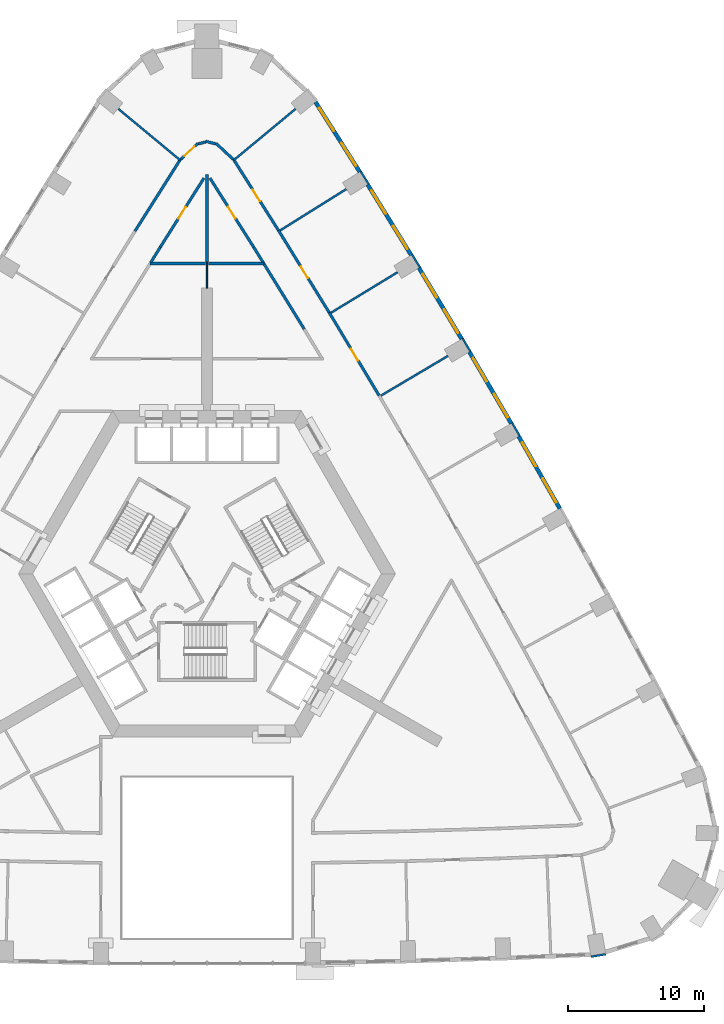
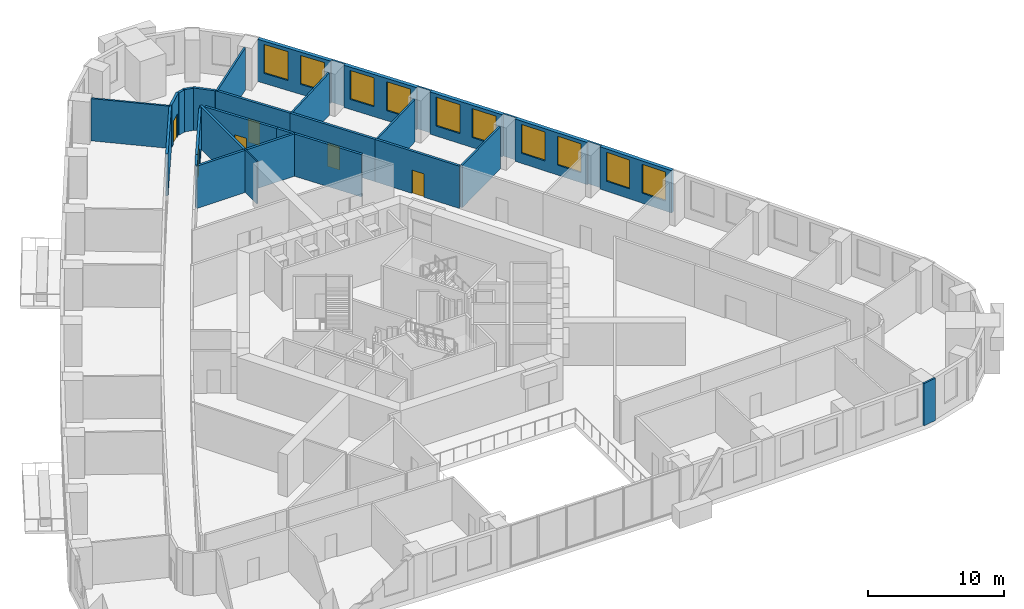
# One storey, part 10 of 16: 32 walls, 10 windows, 6 doors, 16 openings.
"""IFC4 building model written with IfcOpenShell, lengths in metres."""

from ifc_helpers import new_model, si_unit, direction, frame, frame_2d, origin, place, context, subcontext, project, spatial, rectangle, extrude, material, layer, layer_set, type_object, element, fill, save


model = new_model("IFC4")

# Units and contexts
model_context = context("Model", 3, precision=1e-05, world=origin(), true_north=direction((0.0, 1.0)))
body_context = subcontext(model_context, "Body", "Model", "MODEL_VIEW")
ifc_project = project(units=[si_unit("LENGTHUNIT", "METRE"), si_unit("AREAUNIT", "SQUARE_METRE"), si_unit("VOLUMEUNIT", "CUBIC_METRE"), si_unit("PLANEANGLEUNIT", "RADIAN"), si_unit("MASSUNIT", "GRAM", prefix="KILO")], contexts=[model_context])

# Site, building, storey
site_placement = place(None, origin())
site = spatial("IfcSite", under=ifc_project, at=site_placement, CompositionType="ELEMENT")
building_placement = place(site_placement, origin())
building = spatial("IfcBuilding", under=site, at=building_placement, Name="Entoto Arch Interchange Tower", CompositionType="ELEMENT")
storey_placement = place(building_placement, frame((0.0, 0.0, 95.0)))
storey = spatial("IfcBuildingStorey", under=building, at=storey_placement, Name="L20", CompositionType="ELEMENT", Elevation=95.0)

# Walls
ifc_material_1 = material(Name="Gypsum board partition on steel studs", Category="steel")
ifc_layer_1 = layer(ifc_material_1, 0.10009765625)
ifc_layer_set_1 = layer_set([ifc_layer_1], Name="Gypsum board partition on steel studs")
wall_type_1 = type_object("IfcWallType", Name="PARTITION 100", PredefinedType="PARTITIONING", material=ifc_layer_set_1)
wall_1_placement = place(storey_placement, frame((0.0, 23.5, 0.0), z_axis=(0.0, 0.0, 1.0), x_axis=(0.0, 1.0, 0.0)))
element("IfcWall", 1, at=wall_1_placement, inside=storey, type_object=wall_type_1, Name="wall:L20:p103", PredefinedType="PARTITIONING", context=body_context, shape_type="SweptSolid", body=[
    extrude(rectangle(XDim=1.89990234375, YDim=0.10009765625, at=frame_2d((0.949951171875, 0.0))), origin(), (0.0, 0.0, 1.0), 3.800048828125),
])
ifc_layer_2 = layer(ifc_material_1, 0.14990234375)
ifc_layer_set_2 = layer_set([ifc_layer_2], Name="Gypsum board partition on steel studs")
wall_type_2 = type_object("IfcWallType", Name="PARTITION 150", PredefinedType="PARTITIONING", material=ifc_layer_set_2)
wall_2_placement = place(storey_placement, frame((12.77587890625, 15.589111328125, 0.0), z_axis=(0.0, 0.0, 1.0), x_axis=(0.860225086153, 0.509914503768, 0.0)))
element("IfcWall", 2, at=wall_2_placement, inside=storey, type_object=wall_type_2, Name="wall:L20:p119", PredefinedType="PARTITIONING", context=body_context, shape_type="SweptSolid", body=[
    extrude(rectangle(XDim=5.730224609375, YDim=0.14990234375, at=frame_2d((2.865234375, 0.0))), origin(), (0.0, 0.0, 1.0), 3.800048828125),
])
wall_3_placement = place(storey_placement, frame((9.113037109375, 21.68408203125, 0.0), z_axis=(0.0, 0.0, 1.0), x_axis=(0.854075097122, 0.520149717367, 0.0)))
element("IfcWall", 3, at=wall_3_placement, inside=storey, type_object=wall_type_2, Name="wall:L20:p120", PredefinedType="PARTITIONING", context=body_context, shape_type="SweptSolid", body=[
    extrude(rectangle(XDim=5.72900390625, YDim=0.14990234375, at=frame_2d((2.864501953125, 0.0))), origin(), (0.0, 0.0, 1.0), 3.800048828125),
])
wall_4_placement = place(storey_placement, frame((5.3779296875, 27.737060546875, 0.0), z_axis=(0.0, 0.0, 1.0), x_axis=(0.848005484868, 0.529987450449, 0.0)))
element("IfcWall", 4, at=wall_4_placement, inside=storey, type_object=wall_type_2, Name="wall:L20:p121", PredefinedType="PARTITIONING", context=body_context, shape_type="SweptSolid", body=[
    extrude(rectangle(XDim=5.72998046875, YDim=0.14990234375, at=frame_2d((2.864990234375, 0.0))), origin(), (0.0, 0.0, 1.0), 3.800048828125),
])
for number, where, z_axis, x_axis, name in (
    (5, (1.98193359375, 32.9130859375, 0.0), (0.0, 0.0, 1.0), (0.769679976891, 0.638429896835, 0.0), "wall:L20:p122"),
    (6, (-1.98193359375, 32.9130859375, 0.0), (0.0, 0.0, 1.0), (-0.769679976891, 0.638429896835, 0.0), "wall:L20:p123"),
):
    element("IfcWall", number, at=place(storey_placement, frame(where, z_axis=z_axis, x_axis=x_axis)), inside=storey, type_object=wall_type_2, Name=name, PredefinedType="PARTITIONING", context=body_context, shape_type="SweptSolid", body=[
        extrude(rectangle(XDim=5.89111328125, YDim=0.14990234375, at=frame_2d((2.945556640625, 0.0))), origin(), (0.0, 0.0, 1.0), 3.800048828125),
    ])
ifc_layer_3 = layer(ifc_material_1, 0.199951171875)
ifc_layer_set_3 = layer_set([ifc_layer_3], Name="Gypsum board partition on steel studs")
wall_type_3 = type_object("IfcWallType", Name="PARTITION 200", PredefinedType="PARTITIONING", material=ifc_layer_set_3)
wall_5_placement = place(storey_placement, frame((7.14794921875, 20.488037109375, 0.0), z_axis=(0.0, 0.0, 1.0), x_axis=(-0.525162244663, 0.851002125016, 0.0)))
element("IfcWall", 7, at=wall_5_placement, inside=storey, type_object=wall_type_3, Name="wall:L20:p002", PredefinedType="PARTITIONING", context=body_context, shape_type="SweptSolid", body=[
    extrude(rectangle(XDim=5.75439453125, YDim=0.199951171875, at=frame_2d((2.877197265625, 0.0))), origin(), (0.0, 0.0, 1.0), 3.800048828125),
])
wall_6_placement = place(storey_placement, frame((4.1259765625, 25.385009765625, 0.0), z_axis=(0.0, 0.0, 1.0), x_axis=(-0.524824420869, 0.851210507019, 0.0)))
element("IfcWall", 8, at=wall_6_placement, inside=storey, type_object=wall_type_3, Name="wall:L20:p008", PredefinedType="PARTITIONING", context=body_context, shape_type="SweptSolid", body=[
    extrude(rectangle(XDim=1.330078125, YDim=0.199951171875, at=frame_2d((0.6650390625, 0.0))), origin(), (0.0, 0.0, 1.0), 3.800048828125),
])

# Wall, opening, door
wall_7_placement = place(storey_placement, frame((3.427978515625, 26.51708984375, 0.0), z_axis=(0.0, 0.0, 1.0), x_axis=(-0.535034639024, 0.844830122003, 0.0)))
wall_7 = element("IfcWall", 9, at=wall_7_placement, inside=storey, type_object=wall_type_3, Name="wall:L20:p009", PredefinedType="PARTITIONING", context=body_context, shape_type="SweptSolid", body=[
    extrude(rectangle(XDim=5.994140625, YDim=0.199951171875, at=frame_2d((2.9970703125, 0.0))), origin(), (0.0, 0.0, 1.0), 3.800048828125),
])
opening_1_placement = place(wall_7_placement, frame((2.4970703125, 0.0, 0.0)))
opening_1 = element("IfcOpeningElement", 10, at=opening_1_placement, cuts=wall_7, Name="Opening L20-D26", PredefinedType="OPENING", context=body_context, shape_type="SweptSolid", body=[
    extrude(rectangle(XDim=1.0, YDim=2.10009765625, at=frame_2d((0.5, 1.050048828125))), frame((0.0, 0.10986328125, 0.0), z_axis=(0.0, -1.0, 0.0), x_axis=(1.0, 0.0, 0.0)), (0.0, 0.0, 1.0), 0.219970703125),
])
ifc_material_2 = material(Name="Timber door leaf in Steel S235 frame", Category="steel")
door_type = type_object("IfcDoorType", Name="DOOR DS-10 1000x2100", OperationType="SINGLE_SWING_LEFT", PredefinedType="DOOR", material=ifc_material_2)
door_1_placement = place(opening_1_placement, origin())
door_1 = element("IfcDoor", 11, at=door_1_placement, inside=storey, type_object=door_type, Name="door:L20:26", OperationType="SINGLE_SWING_LEFT", OverallHeight=2.10009765625, OverallWidth=1.0, PredefinedType="DOOR", context=body_context, shape_type="SweptSolid", body=[
    extrude(rectangle(XDim=1.0, YDim=2.10009765625, at=frame_2d((0.5, 1.050048828125))), frame((0.0, 0.02490234375, 0.0), z_axis=(0.0, -1.0, 0.0), x_axis=(1.0, 0.0, 0.0)), (0.0, 0.0, 1.0), 0.050048828125),
])
fill(opening_1, door_1)

wall_8_placement = place(storey_placement, frame((-0.220947265625, 31.5810546875, 0.0), z_axis=(0.0, 0.0, 1.0), x_axis=(-0.535034639024, -0.844830122003, 0.0)))
wall_8 = element("IfcWall", 12, at=wall_8_placement, inside=storey, type_object=wall_type_3, Name="wall:L20:p010", PredefinedType="PARTITIONING", context=body_context, shape_type="SweptSolid", body=[
    extrude(rectangle(XDim=5.994140625, YDim=0.199951171875, at=frame_2d((2.9970703125, 0.0))), origin(), (0.0, 0.0, 1.0), 3.800048828125),
])
opening_2_placement = place(wall_8_placement, frame((2.4970703125, 0.0, 0.0)))
opening_2 = element("IfcOpeningElement", 13, at=opening_2_placement, cuts=wall_8, Name="Opening L20-D27", PredefinedType="OPENING", context=body_context, shape_type="SweptSolid", body=[
    extrude(rectangle(XDim=1.0, YDim=2.10009765625, at=frame_2d((0.5, 1.050048828125))), frame((0.0, 0.10986328125, 0.0), z_axis=(0.0, -1.0, 0.0), x_axis=(1.0, 0.0, 0.0)), (0.0, 0.0, 1.0), 0.219970703125),
])
door_2_placement = place(opening_2_placement, origin())
door_2 = element("IfcDoor", 14, at=door_2_placement, inside=storey, type_object=door_type, Name="door:L20:27", OperationType="SINGLE_SWING_LEFT", OverallHeight=2.10009765625, OverallWidth=1.0, PredefinedType="DOOR", context=body_context, shape_type="SweptSolid", body=[
    extrude(rectangle(XDim=1.0, YDim=2.10009765625, at=frame_2d((0.5, 1.050048828125))), frame((0.0, 0.02490234375, 0.0), z_axis=(0.0, -1.0, 0.0), x_axis=(1.0, 0.0, 0.0)), (0.0, 0.0, 1.0), 0.050048828125),
])
fill(opening_2, door_2)

# Wall
wall_9_placement = place(storey_placement, frame((-3.427978515625, 26.51708984375, 0.0), z_axis=(0.0, 0.0, 1.0), x_axis=(-0.524824420869, -0.851210507019, 0.0)))
element("IfcWall", 15, at=wall_9_placement, inside=storey, type_object=wall_type_3, Name="wall:L20:p011", PredefinedType="PARTITIONING", context=body_context, shape_type="SweptSolid", body=[
    extrude(rectangle(XDim=1.330078125, YDim=0.199951171875, at=frame_2d((0.6650390625, 0.0))), origin(), (0.0, 0.0, 1.0), 3.800048828125),
])

# Wall, opening, door
wall_10_placement = place(storey_placement, frame((8.989013671875, 21.696044921875, 0.0), z_axis=(0.0, 0.0, 1.0), x_axis=(0.515000602442, -0.857189815318, 0.0)))
wall_10 = element("IfcWall", 16, at=wall_10_placement, inside=storey, type_object=wall_type_3, Name="wall:L20:p044", PredefinedType="PARTITIONING", context=body_context, shape_type="SweptSolid", body=[
    extrude(rectangle(XDim=7.1103515625, YDim=0.199951171875, at=frame_2d((3.55517578125, 0.0))), origin(), (0.0, 0.0, 1.0), 3.800048828125),
])
opening_3_placement = place(wall_10_placement, frame((3.1298828125, 0.0, 0.0)))
opening_3 = element("IfcOpeningElement", 17, at=opening_3_placement, cuts=wall_10, Name="Opening L20-D10", PredefinedType="OPENING", context=body_context, shape_type="SweptSolid", body=[
    extrude(rectangle(XDim=1.0, YDim=2.10009765625, at=frame_2d((0.5, 1.050048828125))), frame((0.0, 0.10986328125, 0.0), z_axis=(0.0, -1.0, 0.0), x_axis=(1.0, 0.0, 0.0)), (0.0, 0.0, 1.0), 0.219970703125),
])
door_3_placement = place(opening_3_placement, origin())
door_3 = element("IfcDoor", 18, at=door_3_placement, inside=storey, type_object=door_type, Name="door:L20:10", OperationType="SINGLE_SWING_LEFT", OverallHeight=2.10009765625, OverallWidth=1.0, PredefinedType="DOOR", context=body_context, shape_type="SweptSolid", body=[
    extrude(rectangle(XDim=1.0, YDim=2.10009765625, at=frame_2d((0.5, 1.050048828125))), frame((0.0, 0.02490234375, 0.0), z_axis=(0.0, -1.0, 0.0), x_axis=(1.0, 0.0, 0.0)), (0.0, 0.0, 1.0), 0.050048828125),
])
fill(opening_3, door_3)

wall_11_placement = place(storey_placement, frame((5.25390625, 27.7470703125, 0.0), z_axis=(0.0, 0.0, 1.0), x_axis=(0.52516023635, -0.851003364363, 0.0)))
wall_11 = element("IfcWall", 19, at=wall_11_placement, inside=storey, type_object=wall_type_3, Name="wall:L20:p045", PredefinedType="PARTITIONING", context=body_context, shape_type="SweptSolid", body=[
    extrude(rectangle(XDim=7.1103515625, YDim=0.199951171875, at=frame_2d((3.55517578125, 0.0))), origin(), (0.0, 0.0, 1.0), 3.800048828125),
])
opening_4_placement = place(wall_11_placement, frame((3.1298828125, 0.0, 0.0)))
opening_4 = element("IfcOpeningElement", 20, at=opening_4_placement, cuts=wall_11, Name="Opening L20-D11", PredefinedType="OPENING", context=body_context, shape_type="SweptSolid", body=[
    extrude(rectangle(XDim=1.0, YDim=2.10009765625, at=frame_2d((0.5, 1.050048828125))), frame((0.0, 0.10986328125, 0.0), z_axis=(0.0, -1.0, 0.0), x_axis=(1.0, 0.0, 0.0)), (0.0, 0.0, 1.0), 0.219970703125),
])
door_4_placement = place(opening_4_placement, origin())
door_4 = element("IfcDoor", 21, at=door_4_placement, inside=storey, type_object=door_type, Name="door:L20:11", OperationType="SINGLE_SWING_LEFT", OverallHeight=2.10009765625, OverallWidth=1.0, PredefinedType="DOOR", context=body_context, shape_type="SweptSolid", body=[
    extrude(rectangle(XDim=1.0, YDim=2.10009765625, at=frame_2d((0.5, 1.050048828125))), frame((0.0, 0.02490234375, 0.0), z_axis=(0.0, -1.0, 0.0), x_axis=(1.0, 0.0, 0.0)), (0.0, 0.0, 1.0), 0.050048828125),
])
fill(opening_4, door_4)

wall_12_placement = place(storey_placement, frame((1.928955078125, 32.9970703125, 0.0), z_axis=(0.0, 0.0, 1.0), x_axis=(0.534863276222, -0.844938622474, 0.0)))
wall_12 = element("IfcWall", 22, at=wall_12_placement, inside=storey, type_object=wall_type_3, Name="wall:L20:p046", PredefinedType="PARTITIONING", context=body_context, shape_type="SweptSolid", body=[
    extrude(rectangle(XDim=6.214599609375, YDim=0.199951171875, at=frame_2d((3.107421875, 0.0))), origin(), (0.0, 0.0, 1.0), 3.800048828125),
])
opening_5_placement = place(wall_12_placement, frame((2.681884765625, 0.0, 0.0)))
opening_5 = element("IfcOpeningElement", 23, at=opening_5_placement, cuts=wall_12, Name="Opening L20-D12", PredefinedType="OPENING", context=body_context, shape_type="SweptSolid", body=[
    extrude(rectangle(XDim=1.0, YDim=2.10009765625, at=frame_2d((0.5, 1.050048828125))), frame((0.0, 0.10986328125, 0.0), z_axis=(0.0, -1.0, 0.0), x_axis=(1.0, 0.0, 0.0)), (0.0, 0.0, 1.0), 0.219970703125),
])
door_5_placement = place(opening_5_placement, origin())
door_5 = element("IfcDoor", 24, at=door_5_placement, inside=storey, type_object=door_type, Name="door:L20:12", OperationType="SINGLE_SWING_LEFT", OverallHeight=2.10009765625, OverallWidth=1.0, PredefinedType="DOOR", context=body_context, shape_type="SweptSolid", body=[
    extrude(rectangle(XDim=1.0, YDim=2.10009765625, at=frame_2d((0.5, 1.050048828125))), frame((0.0, 0.02490234375, 0.0), z_axis=(0.0, -1.0, 0.0), x_axis=(1.0, 0.0, 0.0)), (0.0, 0.0, 1.0), 0.050048828125),
])
fill(opening_5, door_5)

wall_13_placement = place(storey_placement, frame((-1.908935546875, 32.98095703125, 0.0), z_axis=(0.0, 0.0, 1.0), x_axis=(0.731549606095, 0.681788217721, 0.0)))
wall_13 = element("IfcWall", 25, at=wall_13_placement, inside=storey, type_object=wall_type_3, Name="wall:L20:p047", PredefinedType="PARTITIONING", context=body_context, shape_type="SweptSolid", body=[
    extrude(rectangle(XDim=1.707275390625, YDim=0.199951171875, at=frame_2d((0.853515625, 0.0))), origin(), (0.0, 0.0, 1.0), 3.800048828125),
])
opening_6_placement = place(wall_13_placement, frame((0.35302734375, 0.0, 0.0)))
opening_6 = element("IfcOpeningElement", 26, at=opening_6_placement, cuts=wall_13, Name="Opening L20-D13", PredefinedType="OPENING", context=body_context, shape_type="SweptSolid", body=[
    extrude(rectangle(XDim=1.0, YDim=2.10009765625, at=frame_2d((0.5, 1.050048828125))), frame((0.0, 0.10986328125, 0.0), z_axis=(0.0, -1.0, 0.0), x_axis=(1.0, 0.0, 0.0)), (0.0, 0.0, 1.0), 0.219970703125),
])
door_6_placement = place(opening_6_placement, origin())
door_6 = element("IfcDoor", 27, at=door_6_placement, inside=storey, type_object=door_type, Name="door:L20:13", OperationType="SINGLE_SWING_RIGHT", OverallHeight=2.10009765625, OverallWidth=1.0, PredefinedType="DOOR", context=body_context, shape_type="SweptSolid", body=[
    extrude(rectangle(XDim=1.0, YDim=2.10009765625, at=frame_2d((0.5, 1.050048828125))), frame((0.0, 0.02490234375, 0.0), z_axis=(0.0, -1.0, 0.0), x_axis=(1.0, 0.0, 0.0)), (0.0, 0.0, 1.0), 0.050048828125),
])
fill(opening_6, door_6)

# Walls
wall_14_placement = place(storey_placement, frame((-0.636962890625, 34.10107421875, 0.0), z_axis=(0.0, 0.0, 1.0), x_axis=(0.968893133717, 0.247479484878, 0.0)))
element("IfcWall", 28, at=wall_14_placement, inside=storey, type_object=wall_type_3, Name="wall:L20:p048", PredefinedType="PARTITIONING", context=body_context, shape_type="SweptSolid", body=[
    extrude(rectangle(XDim=0.557373046875, YDim=0.199951171875, at=frame_2d((0.27880859375, 0.0))), origin(), (0.0, 0.0, 1.0), 3.800048828125),
])
wall_15_placement = place(storey_placement, frame((-0.096923828125, 34.2890625, 0.0), z_axis=(0.0, 0.0, 1.0), x_axis=(0.96872347969, -0.248142740972, 0.0)))
element("IfcWall", 29, at=wall_15_placement, inside=storey, type_object=wall_type_3, Name="wall:L20:p049", PredefinedType="PARTITIONING", context=body_context, shape_type="SweptSolid", body=[
    extrude(rectangle(XDim=0.757568359375, YDim=0.199951171875, at=frame_2d((0.37890625, 0.0))), origin(), (0.0, 0.0, 1.0), 3.800048828125),
])
wall_16_placement = place(storey_placement, frame((0.659912109375, 34.14501953125, 0.0), z_axis=(0.0, 0.0, 1.0), x_axis=(0.731549606095, -0.681788217721, 0.0)))
element("IfcWall", 30, at=wall_16_placement, inside=storey, type_object=wall_type_3, Name="wall:L20:p050", PredefinedType="PARTITIONING", context=body_context, shape_type="SweptSolid", body=[
    extrude(rectangle(XDim=1.707275390625, YDim=0.199951171875, at=frame_2d((0.853515625, 0.0))), origin(), (0.0, 0.0, 1.0), 3.800048828125),
])
wall_17_placement = place(storey_placement, frame((-5.29296875, 27.68408203125, 0.0), z_axis=(0.0, 0.0, 1.0), x_axis=(0.534952324147, 0.844882246759, 0.0)))
element("IfcWall", 31, at=wall_17_placement, inside=storey, type_object=wall_type_3, Name="wall:L20:p052", PredefinedType="PARTITIONING", context=body_context, shape_type="SweptSolid", body=[
    extrude(rectangle(XDim=6.288330078125, YDim=0.199951171875, at=frame_2d((3.14404296875, 0.0))), origin(), (0.0, 0.0, 1.0), 3.800048828125),
])
for number, where, z_axis, x_axis, name in (
    (32, (0.10009765625, 25.300048828125, 0.0), (0.0, 0.0, 1.0), (1.0, 0.0, 0.0), "wall:L20:p104"),
    (33, (-4.178955078125, 25.300048828125, 0.0), (0.0, 0.0, 1.0), (1.0, 0.0, 0.0), "wall:L20:p105"),
):
    element("IfcWall", number, at=place(storey_placement, frame(where, z_axis=z_axis, x_axis=x_axis)), inside=storey, type_object=wall_type_3, Name=name, PredefinedType="PARTITIONING", context=body_context, shape_type="SweptSolid", body=[
        extrude(rectangle(XDim=4.078857421875, YDim=0.199951171875, at=frame_2d((2.03955078125, 0.0))), origin(), (0.0, 0.0, 1.0), 3.800048828125),
    ])
wall_18_placement = place(storey_placement, frame((0.0, 25.39990234375, 0.0), z_axis=(0.0, 0.0, 1.0), x_axis=(0.0, 1.0, 0.0)))
element("IfcWall", 34, at=wall_18_placement, inside=storey, type_object=wall_type_3, Name="wall:L20:p106", PredefinedType="PARTITIONING", context=body_context, shape_type="SweptSolid", body=[
    extrude(rectangle(XDim=6.453125, YDim=0.199951171875, at=frame_2d((3.2265625, 0.0))), origin(), (0.0, 0.0, 1.0), 3.800048828125),
])

# Wall, openings, windows
ifc_material_3 = material(Name="Welded tuff (ignimbrite) cladding, warm buff", Category="masonry")
ifc_layer_4 = layer(ifc_material_3, 0.300048828125)
ifc_layer_set_4 = layer_set([ifc_layer_4], Name="Welded tuff (ignimbrite) cladding, warm buff")
wall_type_4 = type_object("IfcWallType", Name="STONE INFILL WALL 300", PredefinedType="STANDARD", material=ifc_layer_set_4)
wall_19_placement = place(storey_placement, frame((25.93603515625, 7.299072265625, 0.0), z_axis=(0.0, 0.0, 1.0), x_axis=(-0.49492259535, 0.868937065967, 0.0)))
wall_19 = element("IfcWall", 35, at=wall_19_placement, inside=storey, type_object=wall_type_4, Name="Facade wall NE-04 L20", PredefinedType="STANDARD", context=body_context, shape_type="SweptSolid", body=[
    extrude(rectangle(XDim=6.09814453125, YDim=0.300048828125, at=frame_2d((3.049072265625, 0.0))), origin(), (0.0, 0.0, 1.0), 3.800048828125),
])
opening_7_placement = place(wall_19_placement, frame((0.52490234375, 0.0, 0.89990234375)))
opening_7 = element("IfcOpeningElement", 36, at=opening_7_placement, cuts=wall_19, Name="Opening WO-C", PredefinedType="OPENING", context=body_context, shape_type="SweptSolid", body=[
    extrude(rectangle(XDim=2.0, YDim=2.60009765625, at=frame_2d((1.0, 1.300048828125))), frame((0.0, 0.16015625, 0.0), z_axis=(0.0, -1.0, 0.0), x_axis=(1.0, 0.0, 0.0)), (0.0, 0.0, 1.0), 0.320068359375),
])
opening_8_placement = place(wall_19_placement, frame((3.573974609375, 0.0, 0.89990234375)))
opening_8 = element("IfcOpeningElement", 37, at=opening_8_placement, cuts=wall_19, Name="Opening WO-C", PredefinedType="OPENING", context=body_context, shape_type="SweptSolid", body=[
    extrude(rectangle(XDim=2.0, YDim=2.60009765625, at=frame_2d((1.0, 1.300048828125))), frame((0.0, 0.16015625, 0.0), z_axis=(0.0, -1.0, 0.0), x_axis=(1.0, 0.0, 0.0)), (0.0, 0.0, 1.0), 0.320068359375),
])
ifc_material_4 = material(Name="Clear glass, low-e double glazed", Category="glass")
window_type = type_object("IfcWindowType", Name="WINDOW WO-C 2000x2600", PartitioningType="DOUBLE_PANEL_VERTICAL", PredefinedType="WINDOW", material=ifc_material_4)
window_1_placement = place(opening_7_placement, origin())
window_1 = element("IfcWindow", 38, at=window_1_placement, inside=storey, type_object=window_type, Name="Window WO-C NE-04 L20", OverallHeight=2.60009765625, OverallWidth=2.0, PartitioningType="SINGLE_PANEL", PredefinedType="WINDOW", context=body_context, shape_type="SweptSolid", body=[
    extrude(rectangle(XDim=2.0, YDim=2.60009765625, at=frame_2d((1.0, 1.300048828125))), frame((0.0, 0.030029296875, 0.0), z_axis=(0.0, -1.0, 0.0), x_axis=(1.0, 0.0, 0.0)), (0.0, 0.0, 1.0), 0.06005859375),
])
fill(opening_7, window_1)
window_2_placement = place(opening_8_placement, origin())
window_2 = element("IfcWindow", 39, at=window_2_placement, inside=storey, type_object=window_type, Name="Window WO-C NE-04 L20", OverallHeight=2.60009765625, OverallWidth=2.0, PartitioningType="SINGLE_PANEL", PredefinedType="WINDOW", context=body_context, shape_type="SweptSolid", body=[
    extrude(rectangle(XDim=2.0, YDim=2.60009765625, at=frame_2d((1.0, 1.300048828125))), frame((0.0, 0.030029296875, 0.0), z_axis=(0.0, -1.0, 0.0), x_axis=(1.0, 0.0, 0.0)), (0.0, 0.0, 1.0), 0.06005859375),
])
fill(opening_8, window_2)

wall_20_placement = place(storey_placement, frame((22.368896484375, 13.549072265625, 0.0), z_axis=(0.0, 0.0, 1.0), x_axis=(-0.504998117261, 0.863120444413, 0.0)))
wall_20 = element("IfcWall", 40, at=wall_20_placement, inside=storey, type_object=wall_type_4, Name="Facade wall NE-05 L20", PredefinedType="STANDARD", context=body_context, shape_type="SweptSolid", body=[
    extrude(rectangle(XDim=6.0986328125, YDim=0.300048828125, at=frame_2d((3.04931640625, 0.0))), origin(), (0.0, 0.0, 1.0), 3.800048828125),
])
opening_9_placement = place(wall_20_placement, frame((0.52490234375, 0.0, 0.89990234375)))
opening_9 = element("IfcOpeningElement", 41, at=opening_9_placement, cuts=wall_20, Name="Opening WO-C", PredefinedType="OPENING", context=body_context, shape_type="SweptSolid", body=[
    extrude(rectangle(XDim=2.0, YDim=2.60009765625, at=frame_2d((1.0, 1.300048828125))), frame((0.0, 0.16015625, 0.0), z_axis=(0.0, -1.0, 0.0), x_axis=(1.0, 0.0, 0.0)), (0.0, 0.0, 1.0), 0.320068359375),
])
opening_10_placement = place(wall_20_placement, frame((3.573974609375, 0.0, 0.89990234375)))
opening_10 = element("IfcOpeningElement", 42, at=opening_10_placement, cuts=wall_20, Name="Opening WO-C", PredefinedType="OPENING", context=body_context, shape_type="SweptSolid", body=[
    extrude(rectangle(XDim=2.0, YDim=2.60009765625, at=frame_2d((1.0, 1.300048828125))), frame((0.0, 0.16015625, 0.0), z_axis=(0.0, -1.0, 0.0), x_axis=(1.0, 0.0, 0.0)), (0.0, 0.0, 1.0), 0.320068359375),
])
window_3_placement = place(opening_9_placement, origin())
window_3 = element("IfcWindow", 43, at=window_3_placement, inside=storey, type_object=window_type, Name="Window WO-C NE-05 L20", OverallHeight=2.60009765625, OverallWidth=2.0, PartitioningType="SINGLE_PANEL", PredefinedType="WINDOW", context=body_context, shape_type="SweptSolid", body=[
    extrude(rectangle(XDim=2.0, YDim=2.60009765625, at=frame_2d((1.0, 1.300048828125))), frame((0.0, 0.030029296875, 0.0), z_axis=(0.0, -1.0, 0.0), x_axis=(1.0, 0.0, 0.0)), (0.0, 0.0, 1.0), 0.06005859375),
])
fill(opening_9, window_3)
window_4_placement = place(opening_10_placement, origin())
window_4 = element("IfcWindow", 44, at=window_4_placement, inside=storey, type_object=window_type, Name="Window WO-C NE-05 L20", OverallHeight=2.60009765625, OverallWidth=2.0, PartitioningType="SINGLE_PANEL", PredefinedType="WINDOW", context=body_context, shape_type="SweptSolid", body=[
    extrude(rectangle(XDim=2.0, YDim=2.60009765625, at=frame_2d((1.0, 1.300048828125))), frame((0.0, 0.030029296875, 0.0), z_axis=(0.0, -1.0, 0.0), x_axis=(1.0, 0.0, 0.0)), (0.0, 0.0, 1.0), 0.06005859375),
])
fill(opening_10, window_4)

wall_21_placement = place(storey_placement, frame((18.72900390625, 19.757080078125, 0.0), z_axis=(0.0, 0.0, 1.0), x_axis=(-0.515102053092, 0.857128855483, 0.0)))
wall_21 = element("IfcWall", 45, at=wall_21_placement, inside=storey, type_object=wall_type_4, Name="Facade wall NE-06 L20", PredefinedType="STANDARD", context=body_context, shape_type="SweptSolid", body=[
    extrude(rectangle(XDim=6.09814453125, YDim=0.300048828125, at=frame_2d((3.049072265625, 0.0))), origin(), (0.0, 0.0, 1.0), 3.800048828125),
])
opening_11_placement = place(wall_21_placement, frame((0.52490234375, 0.0, 0.89990234375)))
opening_11 = element("IfcOpeningElement", 46, at=opening_11_placement, cuts=wall_21, Name="Opening WO-C", PredefinedType="OPENING", context=body_context, shape_type="SweptSolid", body=[
    extrude(rectangle(XDim=2.0, YDim=2.60009765625, at=frame_2d((1.0, 1.300048828125))), frame((0.0, 0.16015625, 0.0), z_axis=(0.0, -1.0, 0.0), x_axis=(1.0, 0.0, 0.0)), (0.0, 0.0, 1.0), 0.320068359375),
])
opening_12_placement = place(wall_21_placement, frame((3.573974609375, 0.0, 0.89990234375)))
opening_12 = element("IfcOpeningElement", 47, at=opening_12_placement, cuts=wall_21, Name="Opening WO-C", PredefinedType="OPENING", context=body_context, shape_type="SweptSolid", body=[
    extrude(rectangle(XDim=2.0, YDim=2.60009765625, at=frame_2d((1.0, 1.300048828125))), frame((0.0, 0.16015625, 0.0), z_axis=(0.0, -1.0, 0.0), x_axis=(1.0, 0.0, 0.0)), (0.0, 0.0, 1.0), 0.320068359375),
])
window_5_placement = place(opening_11_placement, origin())
window_5 = element("IfcWindow", 48, at=window_5_placement, inside=storey, type_object=window_type, Name="Window WO-C NE-06 L20", OverallHeight=2.60009765625, OverallWidth=2.0, PartitioningType="SINGLE_PANEL", PredefinedType="WINDOW", context=body_context, shape_type="SweptSolid", body=[
    extrude(rectangle(XDim=2.0, YDim=2.60009765625, at=frame_2d((1.0, 1.300048828125))), frame((0.0, 0.030029296875, 0.0), z_axis=(0.0, -1.0, 0.0), x_axis=(1.0, 0.0, 0.0)), (0.0, 0.0, 1.0), 0.06005859375),
])
fill(opening_11, window_5)
window_6_placement = place(opening_12_placement, origin())
window_6 = element("IfcWindow", 49, at=window_6_placement, inside=storey, type_object=window_type, Name="Window WO-C NE-06 L20", OverallHeight=2.60009765625, OverallWidth=2.0, PartitioningType="SINGLE_PANEL", PredefinedType="WINDOW", context=body_context, shape_type="SweptSolid", body=[
    extrude(rectangle(XDim=2.0, YDim=2.60009765625, at=frame_2d((1.0, 1.300048828125))), frame((0.0, 0.030029296875, 0.0), z_axis=(0.0, -1.0, 0.0), x_axis=(1.0, 0.0, 0.0)), (0.0, 0.0, 1.0), 0.06005859375),
])
fill(opening_12, window_6)

wall_22_placement = place(storey_placement, frame((15.01708984375, 25.922119140625, 0.0), z_axis=(0.0, 0.0, 1.0), x_axis=(-0.525204788886, 0.850975869065, 0.0)))
wall_22 = element("IfcWall", 50, at=wall_22_placement, inside=storey, type_object=wall_type_4, Name="Facade wall NE-07 L20", PredefinedType="STANDARD", context=body_context, shape_type="SweptSolid", body=[
    extrude(rectangle(XDim=6.098876953125, YDim=0.300048828125, at=frame_2d((3.04931640625, 0.0))), origin(), (0.0, 0.0, 1.0), 3.800048828125),
])
opening_13_placement = place(wall_22_placement, frame((0.52490234375, 0.0, 0.89990234375)))
opening_13 = element("IfcOpeningElement", 51, at=opening_13_placement, cuts=wall_22, Name="Opening WO-C", PredefinedType="OPENING", context=body_context, shape_type="SweptSolid", body=[
    extrude(rectangle(XDim=2.0, YDim=2.60009765625, at=frame_2d((1.0, 1.300048828125))), frame((0.0, 0.16015625, 0.0), z_axis=(0.0, -1.0, 0.0), x_axis=(1.0, 0.0, 0.0)), (0.0, 0.0, 1.0), 0.320068359375),
])
opening_14_placement = place(wall_22_placement, frame((3.573974609375, 0.0, 0.89990234375)))
opening_14 = element("IfcOpeningElement", 52, at=opening_14_placement, cuts=wall_22, Name="Opening WO-C", PredefinedType="OPENING", context=body_context, shape_type="SweptSolid", body=[
    extrude(rectangle(XDim=2.0, YDim=2.60009765625, at=frame_2d((1.0, 1.300048828125))), frame((0.0, 0.16015625, 0.0), z_axis=(0.0, -1.0, 0.0), x_axis=(1.0, 0.0, 0.0)), (0.0, 0.0, 1.0), 0.320068359375),
])
window_7_placement = place(opening_13_placement, origin())
window_7 = element("IfcWindow", 53, at=window_7_placement, inside=storey, type_object=window_type, Name="Window WO-C NE-07 L20", OverallHeight=2.60009765625, OverallWidth=2.0, PartitioningType="SINGLE_PANEL", PredefinedType="WINDOW", context=body_context, shape_type="SweptSolid", body=[
    extrude(rectangle(XDim=2.0, YDim=2.60009765625, at=frame_2d((1.0, 1.300048828125))), frame((0.0, 0.030029296875, 0.0), z_axis=(0.0, -1.0, 0.0), x_axis=(1.0, 0.0, 0.0)), (0.0, 0.0, 1.0), 0.06005859375),
])
fill(opening_13, window_7)
window_8_placement = place(opening_14_placement, origin())
window_8 = element("IfcWindow", 54, at=window_8_placement, inside=storey, type_object=window_type, Name="Window WO-C NE-07 L20", OverallHeight=2.60009765625, OverallWidth=2.0, PartitioningType="SINGLE_PANEL", PredefinedType="WINDOW", context=body_context, shape_type="SweptSolid", body=[
    extrude(rectangle(XDim=2.0, YDim=2.60009765625, at=frame_2d((1.0, 1.300048828125))), frame((0.0, 0.030029296875, 0.0), z_axis=(0.0, -1.0, 0.0), x_axis=(1.0, 0.0, 0.0)), (0.0, 0.0, 1.0), 0.06005859375),
])
fill(opening_14, window_8)

wall_23_placement = place(storey_placement, frame((11.23193359375, 32.04296875, 0.0), z_axis=(0.0, 0.0, 1.0), x_axis=(-0.534869492536, 0.84493468739, 0.0)))
wall_23 = element("IfcWall", 55, at=wall_23_placement, inside=storey, type_object=wall_type_4, Name="Facade wall NE-08 L20", PredefinedType="STANDARD", context=body_context, shape_type="SweptSolid", body=[
    extrude(rectangle(XDim=6.076171875, YDim=0.300048828125, at=frame_2d((3.0380859375, 0.0))), origin(), (0.0, 0.0, 1.0), 3.800048828125),
])
opening_15_placement = place(wall_23_placement, frame((0.51904296875, 0.0, 0.89990234375)))
opening_15 = element("IfcOpeningElement", 56, at=opening_15_placement, cuts=wall_23, Name="Opening WO-C", PredefinedType="OPENING", context=body_context, shape_type="SweptSolid", body=[
    extrude(rectangle(XDim=2.0, YDim=2.60009765625, at=frame_2d((1.0, 1.300048828125))), frame((0.0, 0.16015625, 0.0), z_axis=(0.0, -1.0, 0.0), x_axis=(1.0, 0.0, 0.0)), (0.0, 0.0, 1.0), 0.320068359375),
])
opening_16_placement = place(wall_23_placement, frame((3.556884765625, 0.0, 0.89990234375)))
opening_16 = element("IfcOpeningElement", 57, at=opening_16_placement, cuts=wall_23, Name="Opening WO-C", PredefinedType="OPENING", context=body_context, shape_type="SweptSolid", body=[
    extrude(rectangle(XDim=2.0, YDim=2.60009765625, at=frame_2d((1.0, 1.300048828125))), frame((0.0, 0.16015625, 0.0), z_axis=(0.0, -1.0, 0.0), x_axis=(1.0, 0.0, 0.0)), (0.0, 0.0, 1.0), 0.320068359375),
])
window_9_placement = place(opening_15_placement, origin())
window_9 = element("IfcWindow", 58, at=window_9_placement, inside=storey, type_object=window_type, Name="Window WO-C NE-08 L20", OverallHeight=2.60009765625, OverallWidth=2.0, PartitioningType="SINGLE_PANEL", PredefinedType="WINDOW", context=body_context, shape_type="SweptSolid", body=[
    extrude(rectangle(XDim=2.0, YDim=2.60009765625, at=frame_2d((1.0, 1.300048828125))), frame((0.0, 0.030029296875, 0.0), z_axis=(0.0, -1.0, 0.0), x_axis=(1.0, 0.0, 0.0)), (0.0, 0.0, 1.0), 0.06005859375),
])
fill(opening_15, window_9)
window_10_placement = place(opening_16_placement, origin())
window_10 = element("IfcWindow", 59, at=window_10_placement, inside=storey, type_object=window_type, Name="Window WO-C NE-08 L20", OverallHeight=2.60009765625, OverallWidth=2.0, PartitioningType="SINGLE_PANEL", PredefinedType="WINDOW", context=body_context, shape_type="SweptSolid", body=[
    extrude(rectangle(XDim=2.0, YDim=2.60009765625, at=frame_2d((1.0, 1.300048828125))), frame((0.0, 0.030029296875, 0.0), z_axis=(0.0, -1.0, 0.0), x_axis=(1.0, 0.0, 0.0)), (0.0, 0.0, 1.0), 0.06005859375),
])
fill(opening_16, window_10)

# Walls
ifc_layer_5 = layer(ifc_material_3, 0.14990234375)
ifc_layer_set_5 = layer_set([ifc_layer_5], Name="Welded tuff (ignimbrite) cladding, warm buff")
wall_type_5 = type_object("IfcWallType", Name="STONE PIER CLADDING 150", PredefinedType="STANDARD", material=ifc_layer_set_5)
wall_24_placement = place(storey_placement, frame((22.986083984375, 12.635986328125, 0.0), z_axis=(0.0, 0.0, 1.0), x_axis=(-0.499837685251, 0.86611909597, 0.0)))
element("IfcWall", 60, at=wall_24_placement, inside=storey, type_object=wall_type_5, Name="Stone pier NE05 L20", PredefinedType="STANDARD", context=body_context, shape_type="SweptSolid", body=[
    extrude(rectangle(XDim=1.100341796875, YDim=0.14990234375, at=frame_2d((0.55029296875, 0.0))), origin(), (0.0, 0.0, 1.0), 3.800048828125),
])
wall_25_placement = place(storey_placement, frame((19.35693359375, 18.85205078125, 0.0), z_axis=(0.0, 0.0, 1.0), x_axis=(-0.510082245696, 0.860125631885, 0.0)))
element("IfcWall", 61, at=wall_25_placement, inside=storey, type_object=wall_type_5, Name="Stone pier NE06 L20", PredefinedType="STANDARD", context=body_context, shape_type="SweptSolid", body=[
    extrude(rectangle(XDim=1.099853515625, YDim=0.14990234375, at=frame_2d((0.5498046875, 0.0))), origin(), (0.0, 0.0, 1.0), 3.800048828125),
])
wall_26_placement = place(storey_placement, frame((15.655029296875, 25.02392578125, 0.0), z_axis=(0.0, 0.0, 1.0), x_axis=(-0.51977099384, 0.854305632641, 0.0)))
element("IfcWall", 62, at=wall_26_placement, inside=storey, type_object=wall_type_5, Name="Stone pier NE07 L20", PredefinedType="STANDARD", context=body_context, shape_type="SweptSolid", body=[
    extrude(rectangle(XDim=1.1005859375, YDim=0.14990234375, at=frame_2d((0.55029296875, 0.0))), origin(), (0.0, 0.0, 1.0), 3.800048828125),
])
wall_27_placement = place(storey_placement, frame((11.881103515625, 31.153076171875, 0.0), z_axis=(0.0, 0.0, 1.0), x_axis=(-0.52997899071, 0.848010771987, 0.0)))
element("IfcWall", 63, at=wall_27_placement, inside=storey, type_object=wall_type_5, Name="Stone pier NE08 L20", PredefinedType="STANDARD", context=body_context, shape_type="SweptSolid", body=[
    extrude(rectangle(XDim=1.10009765625, YDim=0.14990234375, at=frame_2d((0.550048828125, 0.0))), origin(), (0.0, 0.0, 1.0), 3.800048828125),
])
wall_28_placement = place(storey_placement, frame((28.22900390625, -25.64599609375, 0.0), z_axis=(0.0, 0.0, 1.0), x_axis=(0.985763338892, 0.168138751323, 0.0)))
element("IfcWall", 64, at=wall_28_placement, inside=storey, type_object=wall_type_5, Name="Stone pier S08 L20", PredefinedType="STANDARD", context=body_context, shape_type="SweptSolid", body=[
    extrude(rectangle(XDim=1.1005859375, YDim=0.14990234375, at=frame_2d((0.55029296875, 0.0))), origin(), (0.0, 0.0, 1.0), 3.800048828125),
])

save(model, "model.ifc")
